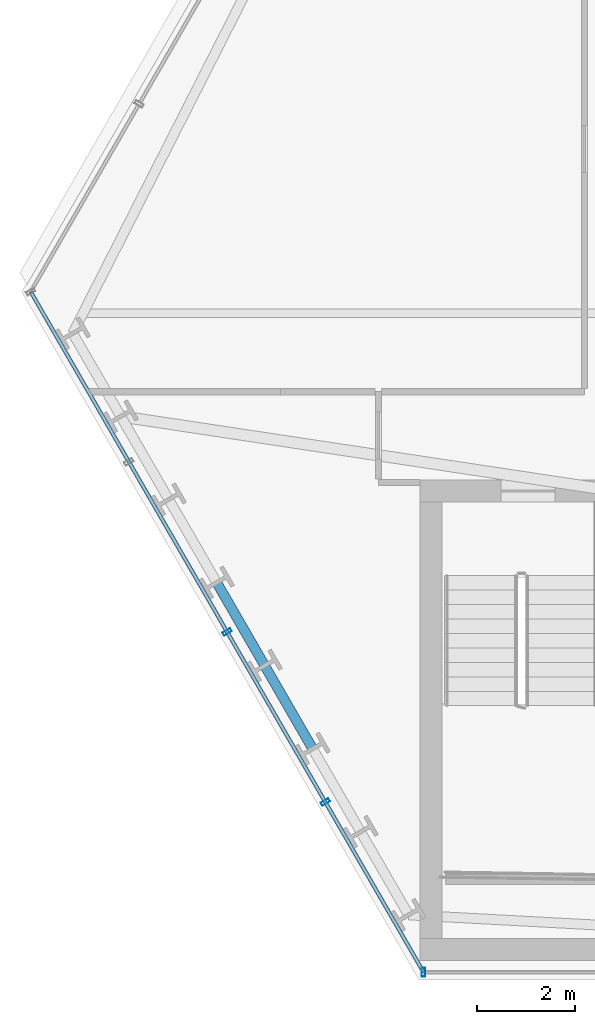
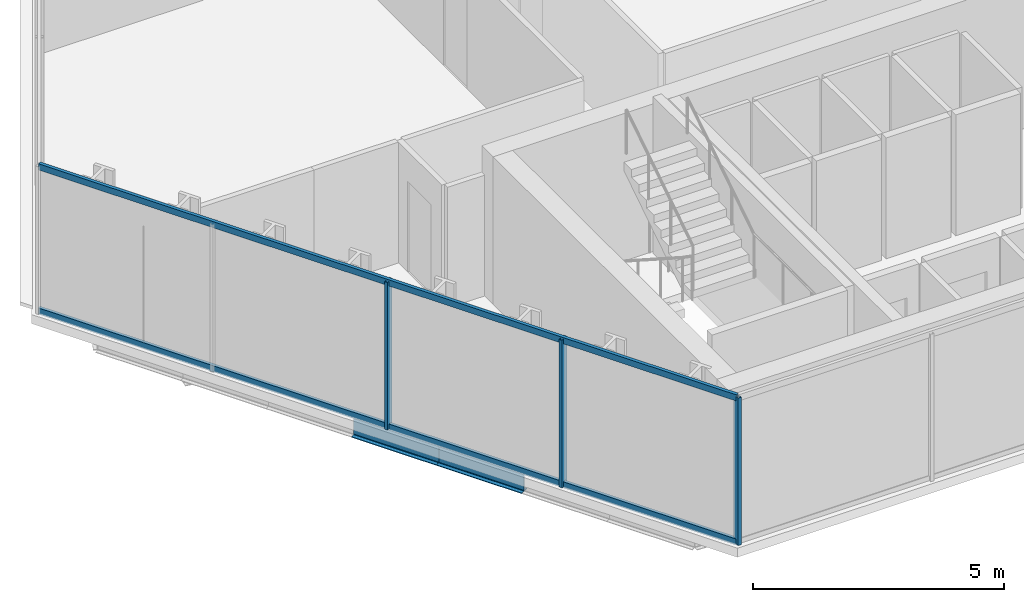
# One storey, part 2 of 32: 5 members, 2 beams, 2 elements without a shape of their own.
"""IFC4 building model written with IfcOpenShell, lengths in metres."""

from ifc_helpers import new_model, si_unit, direction, frame, origin, origin_2d, place, context, subcontext, project, spatial, hollow_rectangle, i_section, extrude, material, layer, layer_set, material_profile, profile_set, type_object, element, aggregate, save


model = new_model("IFC4")

# Units and contexts
model_context = context("Model", 3, precision=1e-05, world=origin(), true_north=direction((0.0, 1.0)))
body_context = subcontext(model_context, "Body", "Model", "MODEL_VIEW")
ifc_project = project(units=[si_unit("LENGTHUNIT", "METRE"), si_unit("AREAUNIT", "SQUARE_METRE"), si_unit("VOLUMEUNIT", "CUBIC_METRE"), si_unit("PLANEANGLEUNIT", "RADIAN"), si_unit("MASSUNIT", "GRAM", prefix="KILO")], contexts=[model_context])

# Site, building, storey
site_placement = place(None, origin())
site = spatial("IfcSite", under=ifc_project, at=site_placement, CompositionType="ELEMENT")
building_placement = place(site_placement, origin())
building = spatial("IfcBuilding", under=site, at=building_placement, Name="Ndaravel Arena Tower", CompositionType="ELEMENT")
storey_placement = place(building_placement, frame((0.0, 0.0, 47.39990234375)))
storey = spatial("IfcBuildingStorey", under=building, at=storey_placement, Name="L09", CompositionType="ELEMENT", Elevation=47.39990234375)

# Beams
ifc_material_1 = material(Name="Steel S355", Category="steel")
ifc_material_profile_1 = material_profile(ifc_material_1, i_section(OverallWidth=0.199951171875, OverallDepth=0.5, WebThickness=0.01025390625, FlangeThickness=0.01611328125, FilletRadius=0.02099609375, at=origin_2d()), Name="IPE 500")
ifc_profile_set_1 = profile_set([ifc_material_profile_1], Name="Steel S355")
beam_type = type_object("IfcBeamType", Name="BM-SPAN-IPE500", PredefinedType="SPANDREL", material=ifc_profile_set_1)
beam_1_placement = place(storey_placement, frame((22.30126953125, 13.107177734375, -0.469970703125), z_axis=(0.500003221507, -0.866023543838, 0.0), x_axis=(0.866023543838, 0.500003221507, 0.0)))
element("IfcBeam", 1, at=beam_1_placement, inside=storey, type_object=beam_type, Name="L09 Perimeter Spandrel Beam SP-23", PredefinedType="SPANDREL", context=body_context, shape_type="SweptSolid", body=[
    extrude(i_section(OverallWidth=0.199951171875, OverallDepth=0.5, WebThickness=0.01025390625, FlangeThickness=0.01611328125, FilletRadius=0.02099609375, at=origin_2d()), origin(), (0.0, 0.0, 1.0), 1.95703125),
])
beam_2_placement = place(storey_placement, frame((23.27978515625, 11.412353515625, -0.469970703125), z_axis=(0.49994920724, -0.866054727012, 0.0), x_axis=(0.866054727012, 0.49994920724, 0.0)))
element("IfcBeam", 2, at=beam_2_placement, inside=storey, type_object=beam_type, Name="L09 Perimeter Spandrel Beam SP-24", PredefinedType="SPANDREL", context=body_context, shape_type="SweptSolid", body=[
    extrude(i_section(OverallWidth=0.199951171875, OverallDepth=0.5, WebThickness=0.01025390625, FlangeThickness=0.01611328125, FilletRadius=0.02099609375, at=origin_2d()), origin(), (0.0, 0.0, 1.0), 1.957275390625),
])

# Curtain wall, member
ifc_material_2 = material(Name="Aluminium", Category="aluminium")
ifc_layer_1 = layer(ifc_material_2, 0.179931640625)
ifc_layer_set_1 = layer_set([ifc_layer_1], Name="Aluminium")
curtain_wall_type_1 = type_object("IfcCurtainWallType", Name="CW-SYS-03", PredefinedType="NOTDEFINED", material=ifc_layer_set_1)
curtain_wall_1_placement = place(storey_placement, origin())
curtain_wall_1 = element("IfcCurtainWall", 3, at=curtain_wall_1_placement, inside=storey, type_object=curtain_wall_type_1, Name="L09 Faceted Crystal Curtain Wall CW-L09-E01", PredefinedType="NOTDEFINED")
ifc_material_3 = material(Name="Aluminium", Category="aluminium")
ifc_material_profile_2 = material_profile(ifc_material_3, hollow_rectangle(XDim=0.074951171875, YDim=0.179931640625, WallThickness=0.00390625, at=origin_2d()), Name="CW MULLION 75x180x4")
ifc_profile_set_2 = profile_set([ifc_material_profile_2], Name="Aluminium")
member_type_1 = type_object("IfcMemberType", Name="MEM-CW-MUL180", PredefinedType="MULLION", material=ifc_profile_set_2)
member_1_placement = place(storey_placement, frame((26.52001953125, 5.159912109375, 0.0), z_axis=(0.0, 0.0, 1.0), x_axis=(1.0, 0.0, 0.0)))
member_1 = element("IfcMember", 4, at=member_1_placement, type_object=member_type_1, Name="CW-L09-E01 Mullion 00", PredefinedType="MULLION", context=body_context, shape_type="SweptSolid", body=[
    extrude(hollow_rectangle(XDim=0.074951171875, YDim=0.179931640625, WallThickness=0.00390625, at=origin_2d()), origin(), (0.0, 0.0, 1.0), 3.580078125),
])
aggregate(curtain_wall_1, [member_1])

# Curtain wall, members
ifc_material_4 = material(Name="Aluminium", Category="aluminium")
ifc_layer_2 = layer(ifc_material_4, 0.179931640625)
ifc_layer_set_2 = layer_set([ifc_layer_2], Name="Aluminium")
curtain_wall_type_2 = type_object("IfcCurtainWallType", Name="CW-SYS-02", PredefinedType="NOTDEFINED", material=ifc_layer_set_2)
curtain_wall_2_placement = place(storey_placement, origin())
curtain_wall_2 = element("IfcCurtainWall", 5, at=curtain_wall_2_placement, inside=storey, type_object=curtain_wall_type_2, Name="L09 Faceted Crystal Curtain Wall CW-L09-E06", PredefinedType="NOTDEFINED")
member_2_placement = place(storey_placement, frame((22.513427734375, 12.099853515625, 0.0), z_axis=(0.0, 0.0, 1.0), x_axis=(0.5, -0.866025403784, 0.0)))
member_2 = element("IfcMember", 6, at=member_2_placement, type_object=member_type_1, Name="CW-L09-E06 Mullion 02", PredefinedType="MULLION", context=body_context, shape_type="SweptSolid", body=[
    extrude(hollow_rectangle(XDim=0.074951171875, YDim=0.179931640625, WallThickness=0.00390625, at=origin_2d()), origin(), (0.0, 0.0, 1.0), 3.580078125),
])
member_3_placement = place(storey_placement, frame((24.516845703125, 8.6298828125, 0.0), z_axis=(0.0, 0.0, 1.0), x_axis=(0.5, -0.866025403784, 0.0)))
member_3 = element("IfcMember", 7, at=member_3_placement, type_object=member_type_1, Name="CW-L09-E06 Mullion 03", PredefinedType="MULLION", context=body_context, shape_type="SweptSolid", body=[
    extrude(hollow_rectangle(XDim=0.074951171875, YDim=0.179931640625, WallThickness=0.00390625, at=origin_2d()), origin(), (0.0, 0.0, 1.0), 3.580078125),
])
ifc_material_5 = material(Name="Aluminium", Category="aluminium")
ifc_material_profile_3 = material_profile(ifc_material_5, hollow_rectangle(XDim=0.074951171875, YDim=0.14990234375, WallThickness=0.00390625, at=origin_2d()), Name="CW TRANSOM 75x150x4")
ifc_profile_set_3 = profile_set([ifc_material_profile_3], Name="Aluminium")
member_type_2 = type_object("IfcMemberType", Name="MEM-CW-TRN150", PredefinedType="USERDEFINED", material=ifc_profile_set_3)
member_4_placement = place(storey_placement, frame((18.5068359375, 19.03955078125, 0.0400390625), z_axis=(0.499989258689, -0.866031605195, 0.0), x_axis=(0.866031605195, 0.499989258689, 0.0)))
member_4 = element("IfcMember", 8, at=member_4_placement, type_object=member_type_2, Name="CW-L09-E06 Transom 01", ObjectType="TRANSOM", PredefinedType="USERDEFINED", context=body_context, shape_type="SweptSolid", body=[
    extrude(hollow_rectangle(XDim=0.074951171875, YDim=0.14990234375, WallThickness=0.00390625, at=origin_2d()), origin(), (0.0, 0.0, 1.0), 16.026611328125),
])
member_5_placement = place(storey_placement, frame((18.5068359375, 19.03955078125, 3.5400390625), z_axis=(0.499989258689, -0.866031605195, 0.0), x_axis=(0.866031605195, 0.499989258689, 0.0)))
member_5 = element("IfcMember", 9, at=member_5_placement, type_object=member_type_2, Name="CW-L09-E06 Transom 02", ObjectType="TRANSOM", PredefinedType="USERDEFINED", context=body_context, shape_type="SweptSolid", body=[
    extrude(hollow_rectangle(XDim=0.074951171875, YDim=0.14990234375, WallThickness=0.00390625, at=origin_2d()), origin(), (0.0, 0.0, 1.0), 16.026611328125),
])
aggregate(curtain_wall_2, [member_2, member_3, member_4, member_5])

save(model, "model.ifc")
